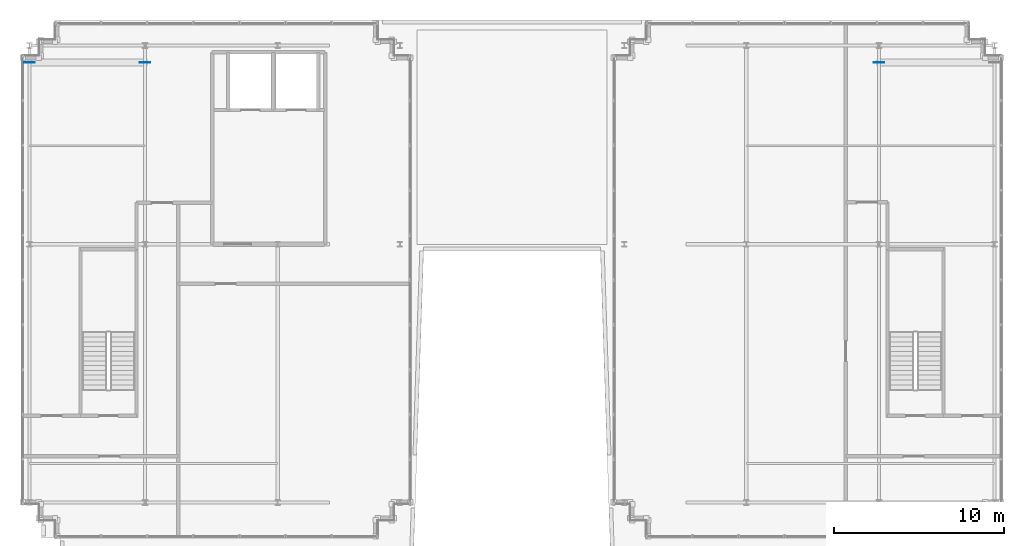
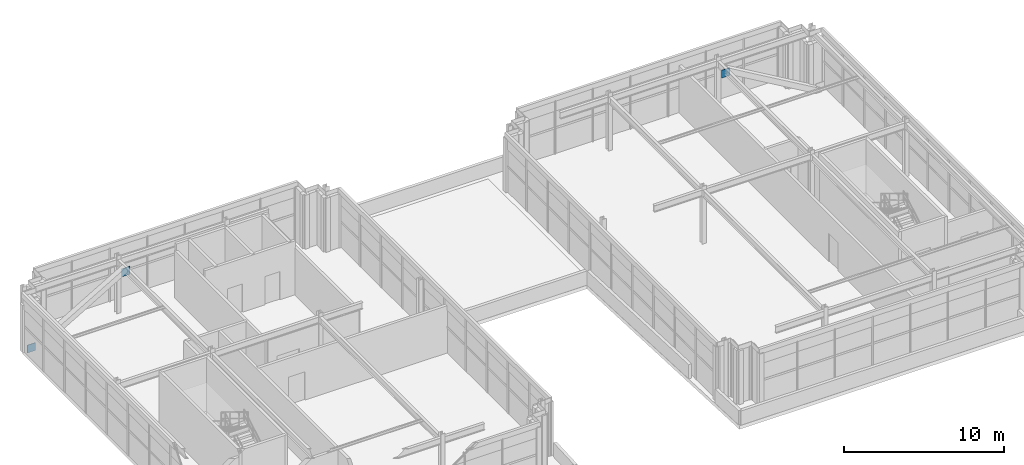
# One storey, part 26 of 31: 3 plates.
"""IFC4 building model written with IfcOpenShell, lengths in metres."""

from ifc_helpers import new_model, si_unit, direction, frame, origin, origin_2d, place, context, subcontext, project, spatial, rectangle, extrude, source, transform, mapped, material, layer, layer_set, type_object, element, save


model = new_model("IFC4")

# Units and contexts
model_context = context("Model", 3, precision=1e-05, world=origin(), true_north=direction((0.0, 1.0)))
body_context = subcontext(model_context, "Body", "Model", "MODEL_VIEW")
ifc_project = project(units=[si_unit("LENGTHUNIT", "METRE"), si_unit("AREAUNIT", "SQUARE_METRE"), si_unit("VOLUMEUNIT", "CUBIC_METRE"), si_unit("PLANEANGLEUNIT", "RADIAN"), si_unit("MASSUNIT", "GRAM", prefix="KILO")], contexts=[model_context])

# Site, building, storey
site_placement = place(None, origin())
site = spatial("IfcSite", under=ifc_project, at=site_placement, CompositionType="ELEMENT")
building_placement = place(site_placement, origin())
building = spatial("IfcBuilding", under=site, at=building_placement, Name="Trelvane Seafront Commons", CompositionType="ELEMENT")
storey_placement = place(building_placement, frame((0.0, 0.0, 307.89990234375)))
storey = spatial("IfcBuildingStorey", under=building, at=storey_placement, Name="L80", CompositionType="ELEMENT", Elevation=307.89990234375)

# Plates
ifc_material = material(Name="Steel SM355 (S355)", Category="steel")
ifc_layer = layer(ifc_material, 0.031982421875, Name="STR-PLT-GUS2")
ifc_layer_set = layer_set([ifc_layer], Name="Steel SM355 (S355)")
plate_type = type_object("IfcPlateType", Name="STR-PLT-GUS2", PredefinedType="SHEET", material=ifc_layer_set)
shared_shape = source(origin(), body_context, "Body", "SweptSolid", [
    extrude(rectangle(XDim=0.60009765625, YDim=0.031982421875, at=origin_2d()), origin(), (0.0, 0.0, 1.0), 0.60009765625),
])
for number, where, z_axis, x_axis, name in (
    (1, (8.800048828125, 44.10009765625, -0.02001953125), (0.0, 0.0, 1.0), (1.0, 0.0, 0.0), "L80 Brace Connection Gusset Plate GP-127"),
    (2, (15.60009765625, 44.10009765625, 3.400146484375), (0.0, 0.0, 1.0), (1.0, 0.0, 0.0), "L80 Brace Connection Gusset Plate GP-128"),
    (3, (58.800048828125, 44.10009765625, 3.400146484375), (0.0, 0.0, 1.0), (1.0, 0.0, 0.0), "L80 Brace Connection Gusset Plate GP-130"),
):
    element("IfcPlate", number, at=place(storey_placement, frame(where, z_axis=z_axis, x_axis=x_axis)), inside=storey, type_object=plate_type, Name=name, PredefinedType="SHEET", context=body_context, shape_type="MappedRepresentation", body=[
        mapped(shared_shape, transform((0.0, 0.0, 0.0), x_axis=(1.0, 0.0, 0.0), y_axis=(0.0, 1.0, 0.0), z_axis=(0.0, 0.0, 1.0), scale=1.0)),
    ])

save(model, "model.ifc")
